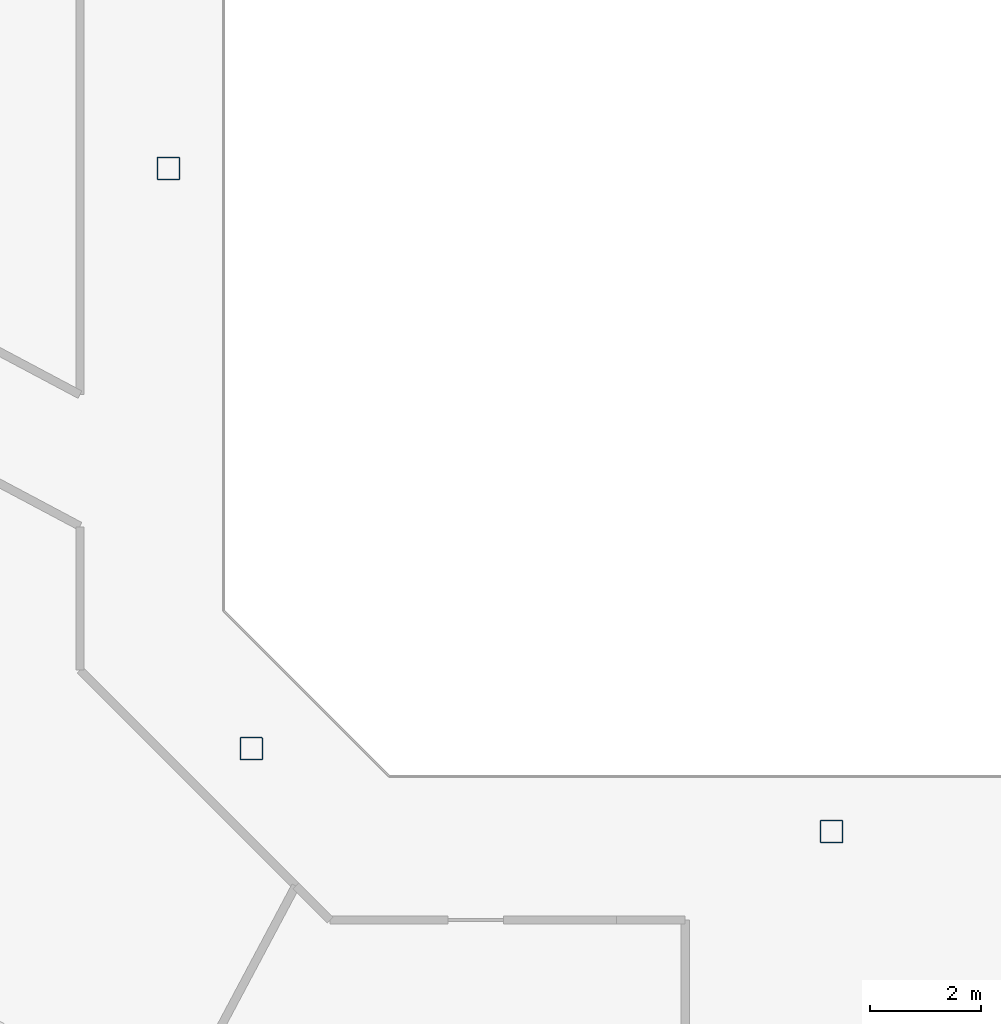
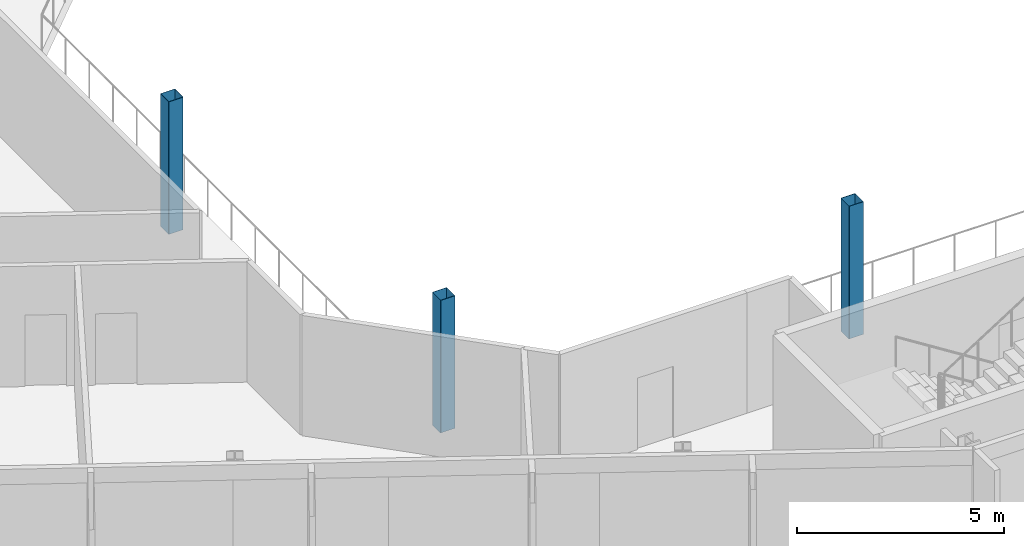
# One storey, part 2 of 26: 3 columns.
"""IFC4 building model written with IfcOpenShell, lengths in metres."""

import ifcopenshell
import ifcopenshell.guid

model = None  # the IFC model being written
_history = None  # IfcOwnerHistory: only IFC2X3 demands one
_inside = {}  # id of a spatial element -> (the spatial element, [elements in it])
_under = {}  # id of a project, library or spatial element -> (it, [spatial elements below it])
_declared = {}  # id of a project -> (the project, [libraries it declares])
_typed = {}  # id of a type object -> (the type object, [elements of that type])
_made_of = {}  # id of a material, layer set ... -> (it, [elements and type objects made of it])


def new_model(schema):
    """Start an empty IFC model of exactly this schema.

    Asked for "IFC4X3", IfcOpenShell would pick the latest addendum, in which some entities
    have other attributes; the version numbers below select the first issue.
    IFC2X3 requires an IfcOwnerHistory on every rooted entity: one is made here for all.
    """
    global model, _history
    if schema == "IFC4X3":
        model = ifcopenshell.file(schema_version=(4, 3, 0, 0))
    else:
        model = ifcopenshell.file(schema=schema)
    _inside.clear()
    _under.clear()
    _declared.clear()
    _typed.clear()
    _made_of.clear()
    _history = None
    if model.schema == "IFC2X3":
        org = make("IfcOrganization", Name="unknown")
        user = make(
            "IfcPersonAndOrganization",
            ThePerson=make("IfcPerson", FamilyName="unknown"),
            TheOrganization=org,
        )
        app = make(
            "IfcApplication",
            ApplicationDeveloper=org,
            Version="unknown",
            ApplicationFullName="unknown",
            ApplicationIdentifier="unknown",
        )
        _history = make(
            "IfcOwnerHistory",
            OwningUser=user,
            OwningApplication=app,
            ChangeAction="ADDED",
            CreationDate=0,
        )
    return model


def make(cls, **values):
    """One entity of the class cls with the attributes given. An attribute that is None is left unset."""
    return model.create_entity(
        cls, **{name: value for name, value in values.items() if value is not None}
    )


def rooted(cls, **values):
    """An entity with a GlobalId (a new one), such as an element, a storey or a relation."""
    return make(cls, GlobalId=ifcopenshell.guid.new(), OwnerHistory=_history, **values)


def si_unit(unit_type, name, prefix=None):
    """IfcSIUnit, for example si_unit("LENGTHUNIT", "METRE", prefix="MILLI")."""
    return make("IfcSIUnit", UnitType=unit_type, Prefix=prefix, Name=name)


def assignment(units):
    """IfcUnitAssignment: the units of a project."""
    return None if units is None else make("IfcUnitAssignment", Units=units)


def point(xyz):
    """IfcCartesianPoint."""
    return None if xyz is None else make("IfcCartesianPoint", Coordinates=xyz)


def direction(xyz):
    """IfcDirection."""
    return None if xyz is None else make("IfcDirection", DirectionRatios=xyz)


def frame(location, z_axis=None, x_axis=None):
    """IfcAxis2Placement3D, a coordinate frame: its origin and axes. An axis left out is left unset."""
    return make(
        "IfcAxis2Placement3D",
        Location=point(location),
        Axis=direction(z_axis),
        RefDirection=direction(x_axis),
    )


def frame_2d(location, x_axis=None):
    """IfcAxis2Placement2D, a coordinate frame in the plane: its origin and x axis."""
    return make(
        "IfcAxis2Placement2D", Location=point(location), RefDirection=direction(x_axis)
    )


def origin():
    """The frame at (0, 0, 0) with its axes left unset."""
    return frame((0.0, 0.0, 0.0))


def origin_2d():
    """The frame at (0, 0) in the plane with its x axis left unset."""
    return frame_2d((0.0, 0.0))


def place(relative_to, where):
    """IfcLocalPlacement: puts the frame where relative to a parent placement (None: the world)."""
    return make(
        "IfcLocalPlacement", PlacementRelTo=relative_to, RelativePlacement=where
    )


def context(
    kind, dimensions, precision=None, world=None, true_north=None, identifier=None
):
    """IfcGeometricRepresentationContext, for example the 3D "Model" context."""
    return make(
        "IfcGeometricRepresentationContext",
        ContextIdentifier=identifier,
        ContextType=kind,
        CoordinateSpaceDimension=dimensions,
        Precision=precision,
        WorldCoordinateSystem=world,
        TrueNorth=true_north,
    )


def subcontext(parent, identifier, kind, view, scale=None):
    """IfcGeometricRepresentationSubContext, for example "Body" below "Model"."""
    return make(
        "IfcGeometricRepresentationSubContext",
        ContextIdentifier=identifier,
        ContextType=kind,
        ParentContext=parent,
        TargetScale=scale,
        TargetView=view,
    )


def project(units=None, contexts=None):
    """IfcProject with its units and contexts."""
    return rooted(
        "IfcProject",
        Name="project",
        RepresentationContexts=contexts,
        UnitsInContext=assignment(units),
    )


def spatial(cls, under=None, at=None, **own):
    """A site, building, storey or space (cls), placed at a placement, below another one or the project."""
    s = rooted(cls, ObjectPlacement=at, **own)
    if under is not None:
        _under.setdefault(under.id(), (under, []))[1].append(s)
    return s


def profile(cls, at=None, kind="AREA", **sizes):
    """A parametric profile (cls). Its sizes go by their IFC names, for example OverallWidth=200.0."""
    return make(cls, ProfileType=kind, Position=at, **sizes)


def hollow_rectangle(**sizes):
    """IfcRectangleHollowProfileDef."""
    return profile("IfcRectangleHollowProfileDef", **sizes)


def extrude(swept, where, along, depth):
    """IfcExtrudedAreaSolid: the profile swept, set in the frame where, extruded along a direction by depth."""
    return make(
        "IfcExtrudedAreaSolid",
        SweptArea=swept,
        Position=where,
        ExtrudedDirection=direction(along),
        Depth=depth,
    )


def shape(context_of_items, identifier, shape_type, items):
    """IfcShapeRepresentation: the items that make up one representation, for example the "Body"."""
    return make(
        "IfcShapeRepresentation",
        ContextOfItems=context_of_items,
        RepresentationIdentifier=identifier,
        RepresentationType=shape_type,
        Items=items,
    )


def material(Name=None, Category=None):
    """IfcMaterial."""
    return make("IfcMaterial", Name=Name, Category=Category)


def material_profile(
    of_material, cross_section, Name=None, Category=None, Priority=None
):
    """IfcMaterialProfile: a cross section and its material."""
    return make(
        "IfcMaterialProfile",
        Name=Name,
        Material=of_material,
        Profile=cross_section,
        Priority=Priority,
        Category=Category,
    )


def profile_set(profiles, Name=None, composite=None):
    """IfcMaterialProfileSet."""
    return make(
        "IfcMaterialProfileSet",
        Name=Name,
        MaterialProfiles=profiles,
        CompositeProfile=composite,
    )


def made_of(thing, what):
    """Note that an element or type object is made of a material, layer set ...; save() writes the relation."""
    if what is not None:
        _made_of.setdefault(what.id(), (what, []))[1].append(thing)
    return thing


def type_object(cls, material=None, **own):
    """A type object (cls), such as IfcWallType, which elements share."""
    return made_of(rooted(cls, **own), material)


def element(
    cls,
    number,
    at=None,
    inside=None,
    cuts=None,
    type_object=None,
    material=None,
    context=None,
    identifier="Body",
    shape_type=None,
    held_by="IfcProductDefinitionShape",
    body=None,
    shapes=None,
    **own,
):
    """One element of the class cls, such as IfcWall. Its Tag is "e" and its number.

    at: its placement. inside: the storey or other place that contains it. cuts: it is an
    opening in that element (IfcRelVoidsElement). A single representation is given by context,
    identifier, shape_type and body (its items); several are given by shapes. held_by: the class
    of the entity that holds the representations. save() writes the other relations.
    """
    e = rooted(cls, Tag="e%d" % number, ObjectPlacement=at, **own)
    if body is not None:
        shapes = [shape(context, identifier, shape_type, body)]
    if shapes is not None:
        e.Representation = make(held_by, Representations=shapes)
    if inside is not None:
        _inside.setdefault(inside.id(), (inside, []))[1].append(e)
    if cuts is not None:
        rooted(
            "IfcRelVoidsElement", RelatingBuildingElement=cuts, RelatedOpeningElement=e
        )
    if type_object is not None:
        _typed.setdefault(type_object.id(), (type_object, []))[1].append(e)
    return made_of(e, material)


def aggregate(whole, parts):
    """IfcRelAggregates: a whole, such as a stair, and the parts it consists of."""
    return rooted("IfcRelAggregates", RelatingObject=whole, RelatedObjects=parts)


def save(model, path):
    """Write the relations noted so far, then the file.

    IfcRelAggregates (storeys below a building ...), IfcRelContainedInSpatialStructure (elements
    in a storey), IfcRelDefinesByType, IfcRelAssociatesMaterial and IfcRelDeclares: one each for
    every whole, place, type object, material and project.
    """
    for whole, parts in _under.values():
        aggregate(whole, parts)
    for where, things in _inside.values():
        rooted(
            "IfcRelContainedInSpatialStructure",
            RelatedElements=things,
            RelatingStructure=where,
        )
    for kind, things in _typed.values():
        rooted("IfcRelDefinesByType", RelatedObjects=things, RelatingType=kind)
    for what, things in _made_of.values():
        rooted("IfcRelAssociatesMaterial", RelatedObjects=things, RelatingMaterial=what)
    for by, libraries in _declared.values():
        rooted("IfcRelDeclares", RelatingContext=by, RelatedDefinitions=libraries)
    model.write(path)


model = new_model("IFC4")

# Units and contexts
model_context = context("Model", 3, precision=1e-05, world=origin(), true_north=direction((0.0, 1.0)))
body_context = subcontext(model_context, "Body", "Model", "MODEL_VIEW")
ifc_project = project(units=[si_unit("LENGTHUNIT", "METRE"), si_unit("AREAUNIT", "SQUARE_METRE"), si_unit("VOLUMEUNIT", "CUBIC_METRE"), si_unit("PLANEANGLEUNIT", "RADIAN"), si_unit("MASSUNIT", "GRAM", prefix="KILO")], contexts=[model_context])

# Site, building, storey
site_placement = place(None, origin())
site = spatial("IfcSite", under=ifc_project, at=site_placement, CompositionType="ELEMENT")
building_placement = place(site_placement, origin())
building = spatial("IfcBuilding", under=site, at=building_placement, Name="Cormorant Relay Tower", CompositionType="ELEMENT")
storey_placement = place(building_placement, frame((0.0, 0.0, 320.39990234375)))
storey = spatial("IfcBuildingStorey", under=building, at=storey_placement, Name="L73", CompositionType="ELEMENT", Elevation=320.39990234375)

# Columns
ifc_material = material(Name="Steel ASTM A500 Grade C (Fy 345 MPa)", Category="steel")
ifc_material_profile = material_profile(ifc_material, hollow_rectangle(XDim=0.406494140625, YDim=0.406494140625, WallThickness=0.0087890625, InnerFilletRadius=0.00439453125, OuterFilletRadius=0.01318359375, at=origin_2d()), Name="HSS406x406x9")
ifc_profile_set = profile_set([ifc_material_profile], Name="Steel ASTM A500 Grade C (Fy 345 MPa)")
column_type = type_object("IfcColumnType", Name="Column HSS406x406x9", PredefinedType="COLUMN", material=ifc_profile_set)
for number, where, z_axis, x_axis, name in (
    (1, (0.0, -12.0, 0.0), (0.0, 0.0, 1.0), (1.0, 0.0, 0.0), "Column L73-007"),
    (2, (-10.5, -10.5, 0.0), (0.0, 0.0, 1.0), (1.0, 0.0, 0.0), "Column L73-009"),
    (3, (-12.0, 0.0, 0.0), (0.0, 0.0, 1.0), (1.0, 0.0, 0.0), "Column L73-015"),
):
    element("IfcColumn", number, at=place(storey_placement, frame(where, z_axis=z_axis, x_axis=x_axis)), inside=storey, type_object=column_type, Name=name, PredefinedType="COLUMN", context=body_context, shape_type="SweptSolid", body=[
        extrude(hollow_rectangle(XDim=0.406494140625, YDim=0.406494140625, WallThickness=0.0087890625, InnerFilletRadius=0.00439453125, OuterFilletRadius=0.01318359375, at=origin_2d()), origin(), (0.0, 0.0, 1.0), 3.900146484375),
    ])

save(model, "model.ifc")
